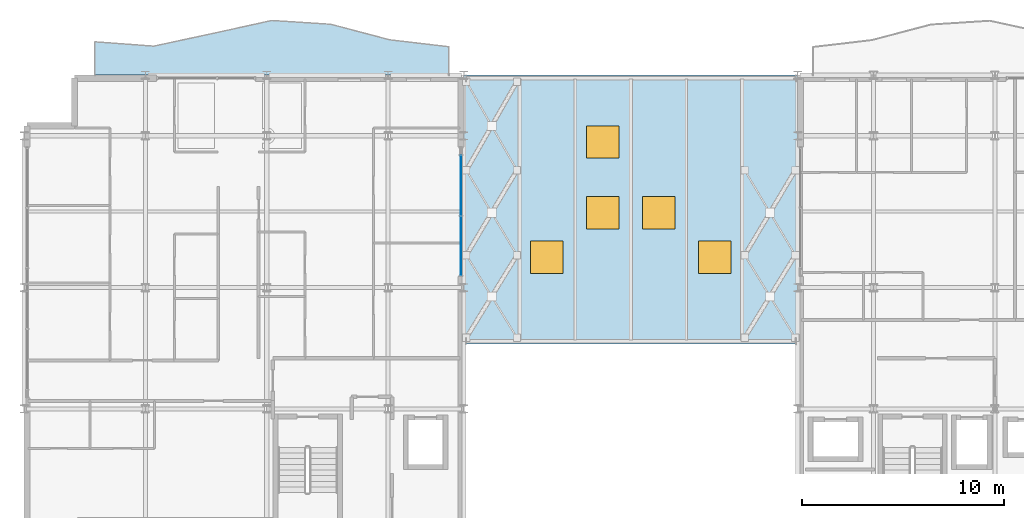
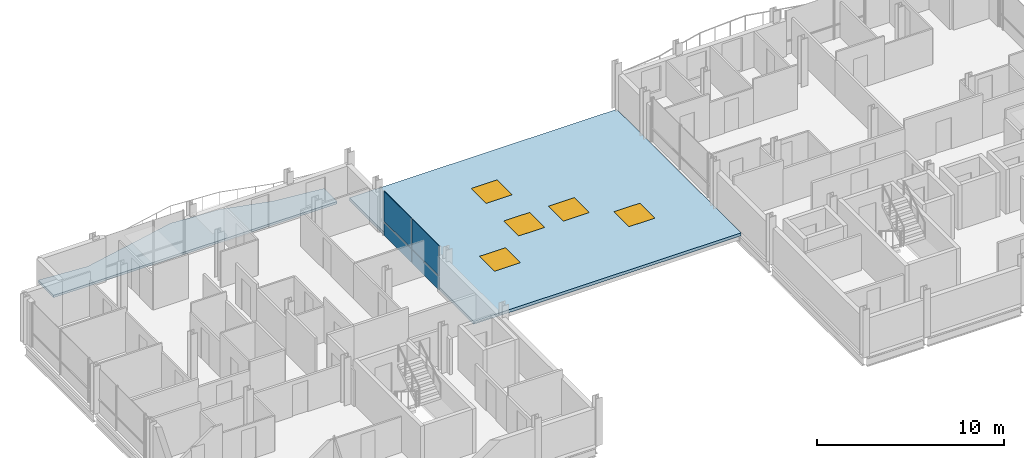
# One storey, part 21 of 33: 5 windows, 4 plates, 2 slabs, 5 openings, 1 element without a shape of its own.
"""IFC4 building model written with IfcOpenShell, lengths in metres."""

from ifc_helpers import new_model, si_unit, direction, frame, origin, origin_2d, place, context, subcontext, project, spatial, polyline, rectangle, outline, extrude, material, layer, layer_set, type_object, element, fill, aggregate, save


model = new_model("IFC4")

# Units and contexts
model_context = context("Model", 3, precision=1e-05, world=origin(), true_north=direction((0.0, 1.0)))
body_context = subcontext(model_context, "Body", "Model", "MODEL_VIEW")
ifc_project = project(units=[si_unit("LENGTHUNIT", "METRE"), si_unit("AREAUNIT", "SQUARE_METRE"), si_unit("VOLUMEUNIT", "CUBIC_METRE"), si_unit("PLANEANGLEUNIT", "RADIAN"), si_unit("MASSUNIT", "GRAM", prefix="KILO")], contexts=[model_context])

# Site, building, storey
site_placement = place(None, origin())
site = spatial("IfcSite", under=ifc_project, at=site_placement, CompositionType="ELEMENT")
building_placement = place(site_placement, origin())
building = spatial("IfcBuilding", under=site, at=building_placement, Name="Brevholm Reach", CompositionType="ELEMENT")
storey_placement = place(building_placement, frame((0.0, 0.0, 189.39990234375)))
storey = spatial("IfcBuildingStorey", under=building, at=storey_placement, Name="L57", CompositionType="ELEMENT", Elevation=189.39990234375)

# Curtain wall, plates
ifc_material_1 = material(Name="Dark Anodised Aluminium 6063-T6 and Solar-Control Glass", Category="aluminium")
ifc_layer_1 = layer(ifc_material_1, 0.1650390625)
ifc_layer_set_1 = layer_set([ifc_layer_1], Name="Dark Anodised Aluminium 6063-T6 and Solar-Control Glass")
curtain_wall_type = type_object("IfcCurtainWallType", Name="CW-04", PredefinedType="NOTDEFINED", material=ifc_layer_set_1)
curtain_wall_placement = place(storey_placement, origin())
curtain_wall = element("IfcCurtainWall", 1, at=curtain_wall_placement, inside=storey, type_object=curtain_wall_type, Name="L57 Curtain Wall CW-04", PredefinedType="NOTDEFINED")
ifc_material_2 = material(Name="Dark Solar-Control Double-Glazed IGU Glass", Category="glass")
ifc_layer_2 = layer(ifc_material_2, 0.028076171875)
ifc_layer_set_2 = layer_set([ifc_layer_2], Name="Dark Solar-Control Double-Glazed IGU Glass")
plate_type = type_object("IfcPlateType", Name="CWP-GLZ-28", PredefinedType="CURTAIN_PANEL", material=ifc_layer_set_2)
plate_1_placement = place(storey_placement, frame((21.60009765625, 18.0673828125, 0.0), z_axis=(0.0, 0.0, 1.0), x_axis=(0.0, 1.0, 0.0)))
plate_1 = element("IfcPlate", 2, at=plate_1_placement, type_object=plate_type, Name="CP-01 Glazing Panel 1.1", PredefinedType="CURTAIN_PANEL", context=body_context, shape_type="SweptSolid", body=[
    extrude(rectangle(XDim=2.89501953125, YDim=0.028076171875, at=origin_2d()), origin(), (0.0, 0.0, 1.0), 0.864990234375),
])
plate_2_placement = place(storey_placement, frame((21.60009765625, 18.0673828125, 0.93505859375), z_axis=(0.0, 0.0, 1.0), x_axis=(0.0, 1.0, 0.0)))
plate_2 = element("IfcPlate", 3, at=plate_2_placement, type_object=plate_type, Name="CP-01 Glazing Panel 1.2", PredefinedType="CURTAIN_PANEL", context=body_context, shape_type="SweptSolid", body=[
    extrude(rectangle(XDim=2.89501953125, YDim=0.028076171875, at=origin_2d()), origin(), (0.0, 0.0, 1.0), 1.955078125),
])
plate_3_placement = place(storey_placement, frame((21.60009765625, 21.050048828125, 0.0), z_axis=(0.0, 0.0, 1.0), x_axis=(0.0, 1.0, 0.0)))
plate_3 = element("IfcPlate", 4, at=plate_3_placement, type_object=plate_type, Name="CP-01 Glazing Panel 2.1", PredefinedType="CURTAIN_PANEL", context=body_context, shape_type="SweptSolid", body=[
    extrude(rectangle(XDim=2.929931640625, YDim=0.028076171875, at=origin_2d()), origin(), (0.0, 0.0, 1.0), 0.864990234375),
])
plate_4_placement = place(storey_placement, frame((21.60009765625, 21.050048828125, 0.93505859375), z_axis=(0.0, 0.0, 1.0), x_axis=(0.0, 1.0, 0.0)))
plate_4 = element("IfcPlate", 5, at=plate_4_placement, type_object=plate_type, Name="CP-01 Glazing Panel 2.2", PredefinedType="CURTAIN_PANEL", context=body_context, shape_type="SweptSolid", body=[
    extrude(rectangle(XDim=2.929931640625, YDim=0.028076171875, at=origin_2d()), origin(), (0.0, 0.0, 1.0), 1.955078125),
])
aggregate(curtain_wall, [plate_1, plate_2, plate_3, plate_4])

# Slab
ifc_material_3 = material(Name="Precast Concrete C45/55", Category="concrete")
ifc_layer_3 = layer(ifc_material_3, 0.14990234375)
ifc_layer_set_3 = layer_set([ifc_layer_3], Name="Precast Concrete C45/55")
slab_type_1 = type_object("IfcSlabType", Name="SLB-BAL-150", PredefinedType="FLOOR", material=ifc_layer_set_3)
slab_1_placement = place(storey_placement, frame((0.0, 0.0, -0.14990234375)))
element("IfcSlab", 6, at=slab_1_placement, inside=storey, type_object=slab_type_1, Name="L57 Rippling External Balcony NW", PredefinedType="FLOOR", context=body_context, shape_type="SweptSolid", body=[
    extrude(outline(polyline([(3.5, 26.5), (21.0, 26.5), (21.0, 27.908203125), (18.083251953125, 28.247802734375), (15.166748046875, 29.017822265625), (12.25, 29.205078125), (9.333251953125, 28.563232421875), (6.416748046875, 27.936767578125), (3.5, 28.150146484375), (3.5, 26.5)])), origin(), (0.0, 0.0, 1.0), 0.14990234375),
])

# Slab, openings, windows
ifc_material_4 = material(Name="Concrete C40/50", Category="concrete")
ifc_layer_4 = layer(ifc_material_4, 0.18994140625)
ifc_layer_set_4 = layer_set([ifc_layer_4], Name="Concrete C40/50")
slab_type_2 = type_object("IfcSlabType", Name="SLB-RF-190", PredefinedType="ROOF", material=ifc_layer_set_4)
slab_2_placement = place(storey_placement, frame((0.0, 0.0, -0.2099609375)))
slab_2 = element("IfcSlab", 7, at=slab_2_placement, inside=storey, type_object=slab_type_2, Name="Outdoor Terrace Roof Slab (atrium-skylight-roof)", PredefinedType="ROOF", context=body_context, shape_type="SweptSolid", body=[
    extrude(outline(polyline([(21.75, 13.199951171875), (38.25, 13.199951171875), (38.25, 26.5), (21.75, 26.5), (21.75, 13.199951171875)]), holes=[polyline([(25.050048828125, 16.699951171875), (26.64990234375, 16.699951171875), (26.64990234375, 18.300048828125), (25.050048828125, 18.300048828125), (25.050048828125, 16.699951171875)]), polyline([(27.820068359375, 18.89990234375), (29.419921875, 18.89990234375), (29.419921875, 20.5), (27.820068359375, 20.5), (27.820068359375, 18.89990234375)]), polyline([(30.580078125, 18.89990234375), (32.179931640625, 18.89990234375), (32.179931640625, 20.5), (30.580078125, 20.5), (30.580078125, 18.89990234375)]), polyline([(33.35009765625, 16.699951171875), (34.949951171875, 16.699951171875), (34.949951171875, 18.300048828125), (33.35009765625, 18.300048828125), (33.35009765625, 16.699951171875)]), polyline([(27.820068359375, 22.39990234375), (29.419921875, 22.39990234375), (29.419921875, 24.0), (27.820068359375, 24.0), (27.820068359375, 22.39990234375)])]), origin(), (0.0, 0.0, 1.0), 0.18994140625),
])
opening_1_placement = place(slab_2_placement, frame((25.85009765625, 17.5, 0.0)))
opening_1 = element("IfcOpeningElement", 8, at=opening_1_placement, cuts=slab_2, Name="Opening SK-01", PredefinedType="OPENING", context=body_context, shape_type="SweptSolid", body=[
    extrude(rectangle(XDim=1.60009765625, YDim=1.60009765625, at=origin_2d()), origin(), (0.0, 0.0, 1.0), 0.18994140625),
])
opening_2_placement = place(slab_2_placement, frame((28.6201171875, 19.699951171875, 0.0)))
opening_2 = element("IfcOpeningElement", 9, at=opening_2_placement, cuts=slab_2, Name="Opening SK-01", PredefinedType="OPENING", context=body_context, shape_type="SweptSolid", body=[
    extrude(rectangle(XDim=1.60009765625, YDim=1.60009765625, at=origin_2d()), origin(), (0.0, 0.0, 1.0), 0.18994140625),
])
opening_3_placement = place(slab_2_placement, frame((31.3798828125, 19.699951171875, 0.0)))
opening_3 = element("IfcOpeningElement", 10, at=opening_3_placement, cuts=slab_2, Name="Opening SK-01", PredefinedType="OPENING", context=body_context, shape_type="SweptSolid", body=[
    extrude(rectangle(XDim=1.60009765625, YDim=1.60009765625, at=origin_2d()), origin(), (0.0, 0.0, 1.0), 0.18994140625),
])
opening_4_placement = place(slab_2_placement, frame((34.14990234375, 17.5, 0.0)))
opening_4 = element("IfcOpeningElement", 11, at=opening_4_placement, cuts=slab_2, Name="Opening SK-01", PredefinedType="OPENING", context=body_context, shape_type="SweptSolid", body=[
    extrude(rectangle(XDim=1.60009765625, YDim=1.60009765625, at=origin_2d()), origin(), (0.0, 0.0, 1.0), 0.18994140625),
])
opening_5_placement = place(slab_2_placement, frame((28.6201171875, 23.199951171875, 0.0)))
opening_5 = element("IfcOpeningElement", 12, at=opening_5_placement, cuts=slab_2, Name="Opening SK-01", PredefinedType="OPENING", context=body_context, shape_type="SweptSolid", body=[
    extrude(rectangle(XDim=1.60009765625, YDim=1.60009765625, at=origin_2d()), origin(), (0.0, 0.0, 1.0), 0.18994140625),
])
ifc_material_5 = material(Name="Thermally Broken Aluminium and Laminated Safety Glass", Category="aluminium")
window_type = type_object("IfcWindowType", Name="WIN-SKY-1600", PartitioningType="SINGLE_PANEL", PredefinedType="SKYLIGHT", material=ifc_material_5)
window_1_placement = place(opening_1_placement, frame((0.0, 0.0, 0.139892578125)))
window_1 = element("IfcWindow", 13, at=window_1_placement, inside=storey, type_object=window_type, Name="L57 Roof Access and Smoke-Vent Skylight 1", OverallHeight=1.60009765625, OverallWidth=1.60009765625, PartitioningType="SINGLE_PANEL", PredefinedType="SKYLIGHT", context=body_context, shape_type="SweptSolid", body=[
    extrude(rectangle(XDim=1.60009765625, YDim=1.60009765625, at=origin_2d()), origin(), (0.0, 0.0, 1.0), 0.050048828125),
])
fill(opening_1, window_1)
window_2_placement = place(opening_2_placement, frame((0.0, 0.0, 0.139892578125)))
window_2 = element("IfcWindow", 14, at=window_2_placement, inside=storey, type_object=window_type, Name="L57 Roof Access and Smoke-Vent Skylight 2", OverallHeight=1.60009765625, OverallWidth=1.60009765625, PartitioningType="SINGLE_PANEL", PredefinedType="SKYLIGHT", context=body_context, shape_type="SweptSolid", body=[
    extrude(rectangle(XDim=1.60009765625, YDim=1.60009765625, at=origin_2d()), origin(), (0.0, 0.0, 1.0), 0.050048828125),
])
fill(opening_2, window_2)
window_3_placement = place(opening_3_placement, frame((0.0, 0.0, 0.139892578125)))
window_3 = element("IfcWindow", 15, at=window_3_placement, inside=storey, type_object=window_type, Name="L57 Roof Access and Smoke-Vent Skylight 3", OverallHeight=1.60009765625, OverallWidth=1.60009765625, PartitioningType="SINGLE_PANEL", PredefinedType="SKYLIGHT", context=body_context, shape_type="SweptSolid", body=[
    extrude(rectangle(XDim=1.60009765625, YDim=1.60009765625, at=origin_2d()), origin(), (0.0, 0.0, 1.0), 0.050048828125),
])
fill(opening_3, window_3)
window_4_placement = place(opening_4_placement, frame((0.0, 0.0, 0.139892578125)))
window_4 = element("IfcWindow", 16, at=window_4_placement, inside=storey, type_object=window_type, Name="L57 Roof Access and Smoke-Vent Skylight 4", OverallHeight=1.60009765625, OverallWidth=1.60009765625, PartitioningType="SINGLE_PANEL", PredefinedType="SKYLIGHT", context=body_context, shape_type="SweptSolid", body=[
    extrude(rectangle(XDim=1.60009765625, YDim=1.60009765625, at=origin_2d()), origin(), (0.0, 0.0, 1.0), 0.050048828125),
])
fill(opening_4, window_4)
window_5_placement = place(opening_5_placement, frame((0.0, 0.0, 0.139892578125)))
window_5 = element("IfcWindow", 17, at=window_5_placement, inside=storey, type_object=window_type, Name="L57 Roof Access and Smoke-Vent Skylight 5", OverallHeight=1.60009765625, OverallWidth=1.60009765625, PartitioningType="SINGLE_PANEL", PredefinedType="SKYLIGHT", context=body_context, shape_type="SweptSolid", body=[
    extrude(rectangle(XDim=1.60009765625, YDim=1.60009765625, at=origin_2d()), origin(), (0.0, 0.0, 1.0), 0.050048828125),
])
fill(opening_5, window_5)

save(model, "model.ifc")
